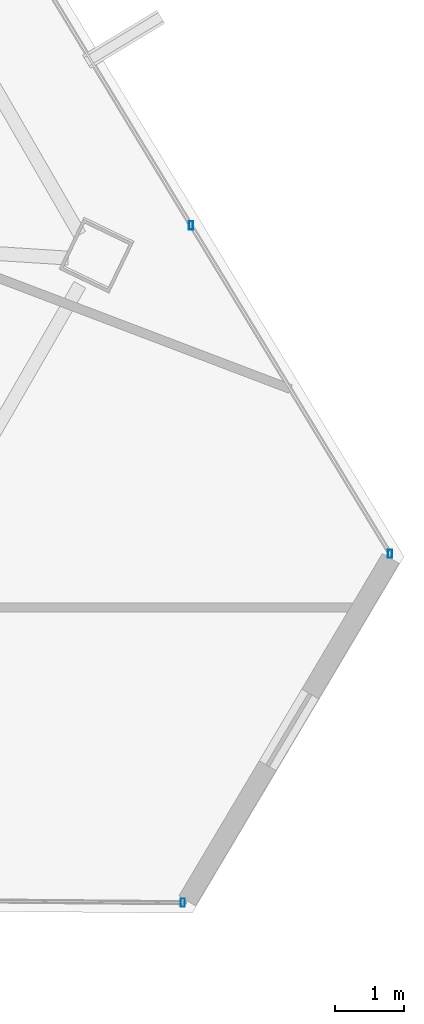
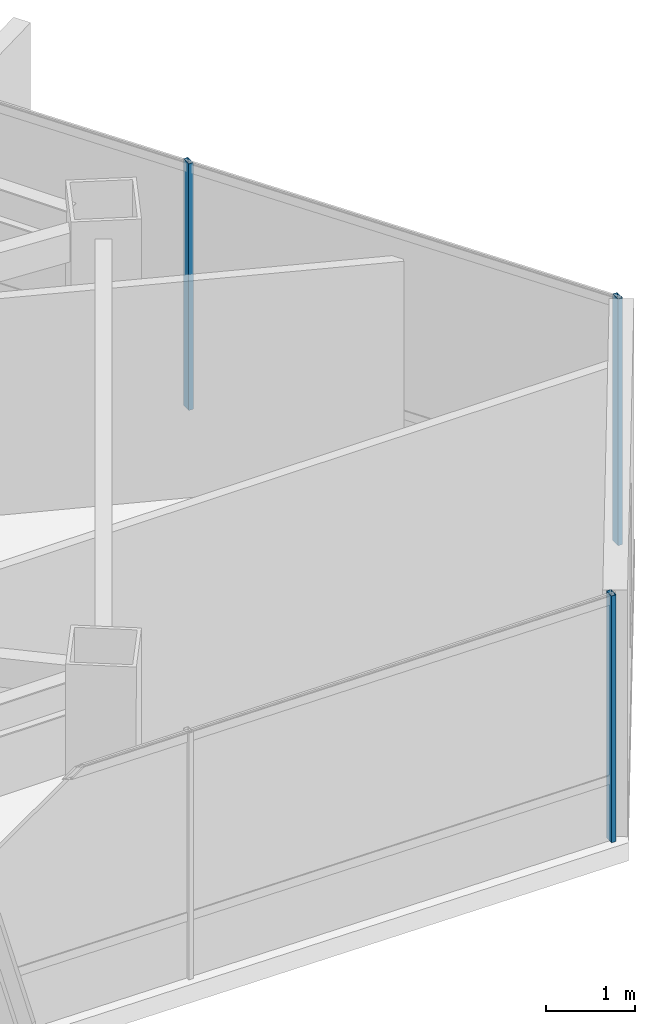
# One storey, part 27 of 47: 3 members, 2 elements without a shape of their own.
"""IFC4 building model written with IfcOpenShell, lengths in metres."""

from ifc_helpers import new_model, si_unit, direction, frame, origin, origin_2d, place, context, subcontext, project, spatial, hollow_rectangle, extrude, source, transform, mapped, material, material_profile, profile_set, type_object, type_shapes, element, aggregate, save


model = new_model("IFC4")

# Units and contexts
model_context = context("Model", 3, precision=1e-05, world=origin(), true_north=direction((0.0, 1.0)))
body_context = subcontext(model_context, "Body", "Model", "MODEL_VIEW")
ifc_project = project(units=[si_unit("LENGTHUNIT", "METRE"), si_unit("AREAUNIT", "SQUARE_METRE"), si_unit("VOLUMEUNIT", "CUBIC_METRE"), si_unit("PLANEANGLEUNIT", "RADIAN"), si_unit("MASSUNIT", "GRAM", prefix="KILO")], contexts=[model_context])

# Site, building, storey
site_placement = place(None, origin())
site = spatial("IfcSite", under=ifc_project, at=site_placement, CompositionType="ELEMENT")
building_placement = place(site_placement, origin())
building = spatial("IfcBuilding", under=site, at=building_placement, Name="Caelisora Broadcast Tower", CompositionType="ELEMENT")
storey_placement = place(building_placement, frame((0.0, 0.0, 229.85009765625)))
storey = spatial("IfcBuildingStorey", under=building, at=storey_placement, Name="L60", CompositionType="ELEMENT", Elevation=229.85009765625)

# Curtain wall, members
ifc_material_1 = material(Name="Unitised Aluminium and Low-E Glass Curtain Wall", Category="glass")
curtain_wall_type = type_object("IfcCurtainWallType", Name="CW-Z5", PredefinedType="NOTDEFINED", material=ifc_material_1)
curtain_wall_1_placement = place(storey_placement, origin())
curtain_wall_1 = element("IfcCurtainWall", 1, at=curtain_wall_1_placement, inside=storey, type_object=curtain_wall_type, Name="L60 curtain wall CW-Z5", PredefinedType="NOTDEFINED")
ifc_material_2 = material(Name="Aluminium 6063-T6 Anodised Terracotta Bronze", Category="aluminium")
ifc_material_profile = material_profile(ifc_material_2, hollow_rectangle(XDim=0.06005859375, YDim=0.1201171875, WallThickness=0.0029296875, at=origin_2d()), Name="Aluminium 6063-T6 Anodised Terracotta Bronze")
ifc_profile_set = profile_set([ifc_material_profile], Name="Aluminium 6063-T6 Anodised Terracotta Bronze")
member_type = type_object("IfcMemberType", Name="CWM-04", PredefinedType="MULLION", material=ifc_profile_set)
shared_shape = source(origin(), body_context, "Body", "SweptSolid", [
    extrude(hollow_rectangle(XDim=0.06005859375, YDim=0.1201171875, WallThickness=0.0029296875, at=origin_2d()), origin(), (0.0, 0.0, 1.0), 3.39990234375),
])
type_shapes(member_type, [shared_shape])
member_1_placement = place(storey_placement, frame((61.189697265625, 16.98291015625, 0.0), z_axis=(0.0, 0.0, 1.0), x_axis=(1.0, 0.0, 0.0)))
member_1 = element("IfcMember", 2, at=member_1_placement, type_object=member_type, Name="L60-CW-B03 mullion #2", PredefinedType="MULLION", context=body_context, shape_type="MappedRepresentation", body=[
    mapped(shared_shape, transform((0.0, 0.0, 0.0), scale=1.0)),
])
member_2_placement = place(storey_placement, frame((64.05615234375, 12.2548828125, 0.0), z_axis=(0.0, 0.0, 1.0), x_axis=(1.0, 0.0, 0.0)))
member_2 = element("IfcMember", 3, at=member_2_placement, type_object=member_type, Name="L60-CW-B03 mullion #3", PredefinedType="MULLION", context=body_context, shape_type="MappedRepresentation", body=[
    mapped(shared_shape, transform((0.0, 0.0, 0.0), scale=1.0)),
])
aggregate(curtain_wall_1, [member_1, member_2])

# Curtain wall, member
curtain_wall_2_placement = place(storey_placement, origin())
curtain_wall_2 = element("IfcCurtainWall", 4, at=curtain_wall_2_placement, inside=storey, type_object=curtain_wall_type, Name="L60 curtain wall CW-Z5", PredefinedType="NOTDEFINED")
member_3_placement = place(storey_placement, frame((61.071044921875, 7.23046875, 0.0), z_axis=(0.0, 0.0, 1.0), x_axis=(1.0, 0.0, 0.0)))
member_3 = element("IfcMember", 5, at=member_3_placement, type_object=member_type, Name="L60-CW-B05 mullion #0", PredefinedType="MULLION", context=body_context, shape_type="MappedRepresentation", body=[
    mapped(shared_shape, transform((0.0, 0.0, 0.0), scale=1.0)),
])
aggregate(curtain_wall_2, [member_3])

save(model, "model.ifc")
